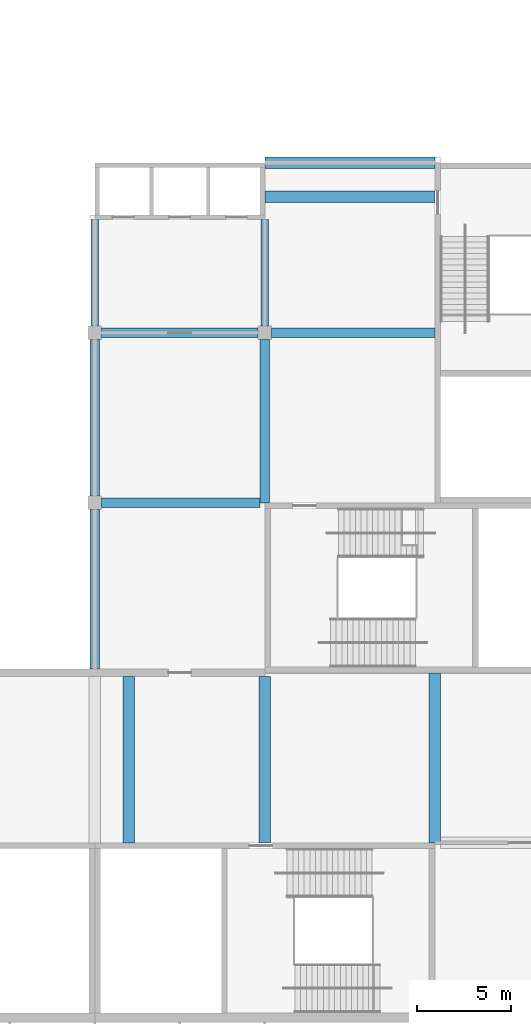
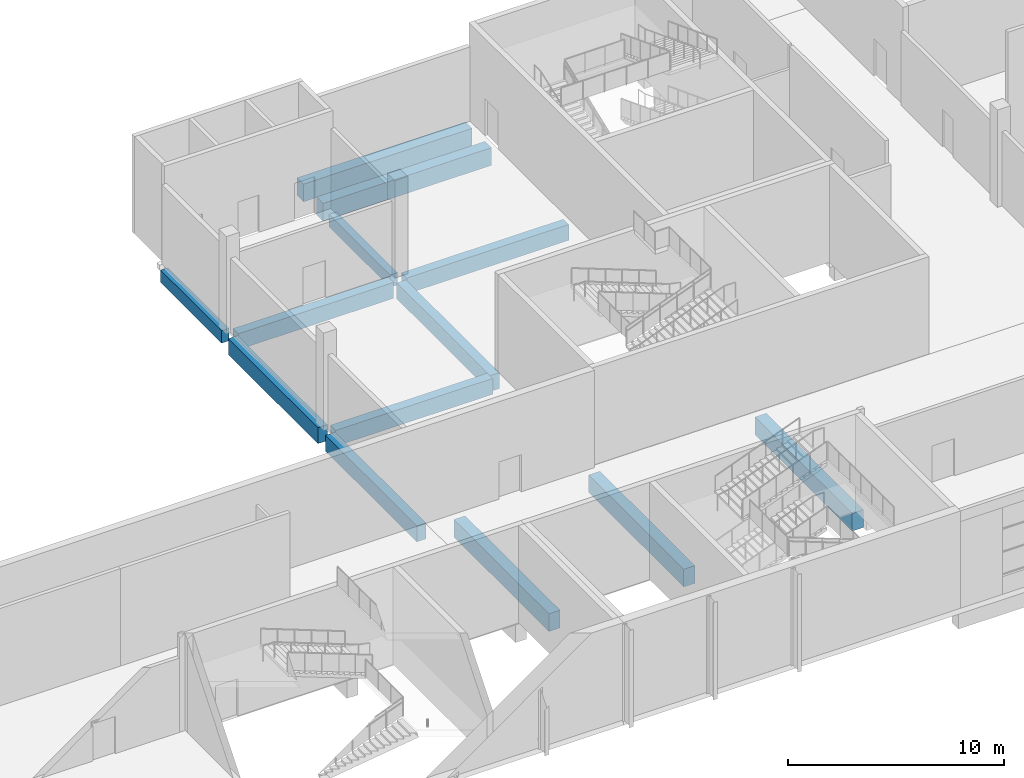
# One storey, part 10 of 84: 13 beams.
"""IFC4 building model written with IfcOpenShell, lengths in metres."""

import ifcopenshell
import ifcopenshell.guid

model = None  # the IFC model being written
_history = None  # IfcOwnerHistory: only IFC2X3 demands one
_inside = {}  # id of a spatial element -> (the spatial element, [elements in it])
_under = {}  # id of a project, library or spatial element -> (it, [spatial elements below it])
_declared = {}  # id of a project -> (the project, [libraries it declares])
_typed = {}  # id of a type object -> (the type object, [elements of that type])
_made_of = {}  # id of a material, layer set ... -> (it, [elements and type objects made of it])


def new_model(schema):
    """Start an empty IFC model of exactly this schema.

    Asked for "IFC4X3", IfcOpenShell would pick the latest addendum, in which some entities
    have other attributes; the version numbers below select the first issue.
    IFC2X3 requires an IfcOwnerHistory on every rooted entity: one is made here for all.
    """
    global model, _history
    if schema == "IFC4X3":
        model = ifcopenshell.file(schema_version=(4, 3, 0, 0))
    else:
        model = ifcopenshell.file(schema=schema)
    _inside.clear()
    _under.clear()
    _declared.clear()
    _typed.clear()
    _made_of.clear()
    _history = None
    if model.schema == "IFC2X3":
        org = make("IfcOrganization", Name="unknown")
        user = make(
            "IfcPersonAndOrganization",
            ThePerson=make("IfcPerson", FamilyName="unknown"),
            TheOrganization=org,
        )
        app = make(
            "IfcApplication",
            ApplicationDeveloper=org,
            Version="unknown",
            ApplicationFullName="unknown",
            ApplicationIdentifier="unknown",
        )
        _history = make(
            "IfcOwnerHistory",
            OwningUser=user,
            OwningApplication=app,
            ChangeAction="ADDED",
            CreationDate=0,
        )
    return model


def make(cls, **values):
    """One entity of the class cls with the attributes given. An attribute that is None is left unset."""
    return model.create_entity(
        cls, **{name: value for name, value in values.items() if value is not None}
    )


def rooted(cls, **values):
    """An entity with a GlobalId (a new one), such as an element, a storey or a relation."""
    return make(cls, GlobalId=ifcopenshell.guid.new(), OwnerHistory=_history, **values)


def si_unit(unit_type, name, prefix=None):
    """IfcSIUnit, for example si_unit("LENGTHUNIT", "METRE", prefix="MILLI")."""
    return make("IfcSIUnit", UnitType=unit_type, Prefix=prefix, Name=name)


def assignment(units):
    """IfcUnitAssignment: the units of a project."""
    return None if units is None else make("IfcUnitAssignment", Units=units)


def point(xyz):
    """IfcCartesianPoint."""
    return None if xyz is None else make("IfcCartesianPoint", Coordinates=xyz)


def direction(xyz):
    """IfcDirection."""
    return None if xyz is None else make("IfcDirection", DirectionRatios=xyz)


def frame(location, z_axis=None, x_axis=None):
    """IfcAxis2Placement3D, a coordinate frame: its origin and axes. An axis left out is left unset."""
    return make(
        "IfcAxis2Placement3D",
        Location=point(location),
        Axis=direction(z_axis),
        RefDirection=direction(x_axis),
    )


def frame_2d(location, x_axis=None):
    """IfcAxis2Placement2D, a coordinate frame in the plane: its origin and x axis."""
    return make(
        "IfcAxis2Placement2D", Location=point(location), RefDirection=direction(x_axis)
    )


def origin():
    """The frame at (0, 0, 0) with its axes left unset."""
    return frame((0.0, 0.0, 0.0))


def origin_2d():
    """The frame at (0, 0) in the plane with its x axis left unset."""
    return frame_2d((0.0, 0.0))


def place(relative_to, where):
    """IfcLocalPlacement: puts the frame where relative to a parent placement (None: the world)."""
    return make(
        "IfcLocalPlacement", PlacementRelTo=relative_to, RelativePlacement=where
    )


def context(
    kind, dimensions, precision=None, world=None, true_north=None, identifier=None
):
    """IfcGeometricRepresentationContext, for example the 3D "Model" context."""
    return make(
        "IfcGeometricRepresentationContext",
        ContextIdentifier=identifier,
        ContextType=kind,
        CoordinateSpaceDimension=dimensions,
        Precision=precision,
        WorldCoordinateSystem=world,
        TrueNorth=true_north,
    )


def subcontext(parent, identifier, kind, view, scale=None):
    """IfcGeometricRepresentationSubContext, for example "Body" below "Model"."""
    return make(
        "IfcGeometricRepresentationSubContext",
        ContextIdentifier=identifier,
        ContextType=kind,
        ParentContext=parent,
        TargetScale=scale,
        TargetView=view,
    )


def project(units=None, contexts=None):
    """IfcProject with its units and contexts."""
    return rooted(
        "IfcProject",
        Name="project",
        RepresentationContexts=contexts,
        UnitsInContext=assignment(units),
    )


def spatial(cls, under=None, at=None, **own):
    """A site, building, storey or space (cls), placed at a placement, below another one or the project."""
    s = rooted(cls, ObjectPlacement=at, **own)
    if under is not None:
        _under.setdefault(under.id(), (under, []))[1].append(s)
    return s


def profile(cls, at=None, kind="AREA", **sizes):
    """A parametric profile (cls). Its sizes go by their IFC names, for example OverallWidth=200.0."""
    return make(cls, ProfileType=kind, Position=at, **sizes)


def rectangle(**sizes):
    """IfcRectangleProfileDef."""
    return profile("IfcRectangleProfileDef", **sizes)


def extrude(swept, where, along, depth):
    """IfcExtrudedAreaSolid: the profile swept, set in the frame where, extruded along a direction by depth."""
    return make(
        "IfcExtrudedAreaSolid",
        SweptArea=swept,
        Position=where,
        ExtrudedDirection=direction(along),
        Depth=depth,
    )


def shape(context_of_items, identifier, shape_type, items):
    """IfcShapeRepresentation: the items that make up one representation, for example the "Body"."""
    return make(
        "IfcShapeRepresentation",
        ContextOfItems=context_of_items,
        RepresentationIdentifier=identifier,
        RepresentationType=shape_type,
        Items=items,
    )


def material(Name=None, Category=None):
    """IfcMaterial."""
    return make("IfcMaterial", Name=Name, Category=Category)


def material_profile(
    of_material, cross_section, Name=None, Category=None, Priority=None
):
    """IfcMaterialProfile: a cross section and its material."""
    return make(
        "IfcMaterialProfile",
        Name=Name,
        Material=of_material,
        Profile=cross_section,
        Priority=Priority,
        Category=Category,
    )


def profile_set(profiles, Name=None, composite=None):
    """IfcMaterialProfileSet."""
    return make(
        "IfcMaterialProfileSet",
        Name=Name,
        MaterialProfiles=profiles,
        CompositeProfile=composite,
    )


def made_of(thing, what):
    """Note that an element or type object is made of a material, layer set ...; save() writes the relation."""
    if what is not None:
        _made_of.setdefault(what.id(), (what, []))[1].append(thing)
    return thing


def type_object(cls, material=None, **own):
    """A type object (cls), such as IfcWallType, which elements share."""
    return made_of(rooted(cls, **own), material)


def element(
    cls,
    number,
    at=None,
    inside=None,
    cuts=None,
    type_object=None,
    material=None,
    context=None,
    identifier="Body",
    shape_type=None,
    held_by="IfcProductDefinitionShape",
    body=None,
    shapes=None,
    **own,
):
    """One element of the class cls, such as IfcWall. Its Tag is "e" and its number.

    at: its placement. inside: the storey or other place that contains it. cuts: it is an
    opening in that element (IfcRelVoidsElement). A single representation is given by context,
    identifier, shape_type and body (its items); several are given by shapes. held_by: the class
    of the entity that holds the representations. save() writes the other relations.
    """
    e = rooted(cls, Tag="e%d" % number, ObjectPlacement=at, **own)
    if body is not None:
        shapes = [shape(context, identifier, shape_type, body)]
    if shapes is not None:
        e.Representation = make(held_by, Representations=shapes)
    if inside is not None:
        _inside.setdefault(inside.id(), (inside, []))[1].append(e)
    if cuts is not None:
        rooted(
            "IfcRelVoidsElement", RelatingBuildingElement=cuts, RelatedOpeningElement=e
        )
    if type_object is not None:
        _typed.setdefault(type_object.id(), (type_object, []))[1].append(e)
    return made_of(e, material)


def aggregate(whole, parts):
    """IfcRelAggregates: a whole, such as a stair, and the parts it consists of."""
    return rooted("IfcRelAggregates", RelatingObject=whole, RelatedObjects=parts)


def save(model, path):
    """Write the relations noted so far, then the file.

    IfcRelAggregates (storeys below a building ...), IfcRelContainedInSpatialStructure (elements
    in a storey), IfcRelDefinesByType, IfcRelAssociatesMaterial and IfcRelDeclares: one each for
    every whole, place, type object, material and project.
    """
    for whole, parts in _under.values():
        aggregate(whole, parts)
    for where, things in _inside.values():
        rooted(
            "IfcRelContainedInSpatialStructure",
            RelatedElements=things,
            RelatingStructure=where,
        )
    for kind, things in _typed.values():
        rooted("IfcRelDefinesByType", RelatedObjects=things, RelatingType=kind)
    for what, things in _made_of.values():
        rooted("IfcRelAssociatesMaterial", RelatedObjects=things, RelatingMaterial=what)
    for by, libraries in _declared.values():
        rooted("IfcRelDeclares", RelatingContext=by, RelatedDefinitions=libraries)
    model.write(path)


model = new_model("IFC4")

# Units and contexts
model_context = context("Model", 3, precision=1e-05, world=origin(), true_north=direction((0.0, 1.0)))
body_context = subcontext(model_context, "Body", "Model", "MODEL_VIEW")
ifc_project = project(units=[si_unit("LENGTHUNIT", "METRE"), si_unit("AREAUNIT", "SQUARE_METRE"), si_unit("VOLUMEUNIT", "CUBIC_METRE"), si_unit("PLANEANGLEUNIT", "RADIAN"), si_unit("MASSUNIT", "GRAM", prefix="KILO")], contexts=[model_context])

# Site, building, storey
site_placement = place(None, origin())
site = spatial("IfcSite", under=ifc_project, at=site_placement, CompositionType="ELEMENT")
building_placement = place(site_placement, origin())
building = spatial("IfcBuilding", under=site, at=building_placement, Name="Silverbay Arena", CompositionType="ELEMENT")
storey_placement = place(building_placement, frame((0.0, 0.0, 28.0)))
storey = spatial("IfcBuildingStorey", under=building, at=storey_placement, Name="L04", CompositionType="ELEMENT", Elevation=28.0)

# Beams
ifc_material_1 = material(Name="Concrete Grade C45", Category="concrete")
ifc_material_profile_1 = material_profile(ifc_material_1, rectangle(XDim=0.39990234375, YDim=0.699951171875, at=origin_2d()), Name="RC 400x700")
ifc_profile_set_1 = profile_set([ifc_material_profile_1], Name="Concrete Grade C45")
beam_type_1 = type_object("IfcBeamType", Name="RC beam 400x700", PredefinedType="BEAM", material=ifc_profile_set_1)
for number, where, z_axis, x_axis, name in (
    (1, (162.0, 54.35009765625, -0.64990234375), (0.0, 1.0, 0.0), (-1.0, 0.0, 0.0), "Floor beam L04 130"),
    (2, (171.0, 54.35009765625, -0.64990234375), (0.0, 1.0, 0.0), (-1.0, 0.0, 0.0), "Floor beam L04 139"),
):
    element("IfcBeam", number, at=place(storey_placement, frame(where, z_axis=z_axis, x_axis=x_axis)), inside=storey, type_object=beam_type_1, Name=name, PredefinedType="BEAM", context=body_context, shape_type="SweptSolid", body=[
        extrude(rectangle(XDim=0.39990234375, YDim=0.699951171875, at=origin_2d()), origin(), (0.0, 0.0, 1.0), 5.64990234375),
    ])
ifc_material_2 = material(Name="Concrete Grade C45", Category="concrete")
ifc_material_profile_2 = material_profile(ifc_material_2, rectangle(XDim=0.5, YDim=0.89990234375, at=origin_2d()), Name="RC 500x900")
ifc_profile_set_2 = profile_set([ifc_material_profile_2], Name="Concrete Grade C45")
beam_type_2 = type_object("IfcBeamType", Name="RC beam 500x900", PredefinedType="BEAM", material=ifc_profile_set_2)
beam_1_placement = place(storey_placement, frame((162.35009765625, 45.0, -0.75), z_axis=(1.0, 0.0, 0.0), x_axis=(0.0, 1.0, 0.0)))
element("IfcBeam", 3, at=beam_1_placement, inside=storey, type_object=beam_type_2, Name="Floor beam L04 018", PredefinedType="BEAM", context=body_context, shape_type="SweptSolid", body=[
    extrude(rectangle(XDim=0.5, YDim=0.89990234375, at=origin_2d()), origin(), (0.0, 0.0, 1.0), 8.39990234375),
])
beam_2_placement = place(storey_placement, frame((162.35009765625, 54.0, -0.75), z_axis=(1.0, 0.0, 0.0), x_axis=(0.0, 1.0, 0.0)))
element("IfcBeam", 4, at=beam_2_placement, inside=storey, type_object=beam_type_2, Name="Floor beam L04 024", PredefinedType="BEAM", context=body_context, shape_type="SweptSolid", body=[
    extrude(rectangle(XDim=0.5, YDim=0.89990234375, at=origin_2d()), origin(), (0.0, 0.0, 1.0), 8.2998046875),
])
beam_3_placement = place(storey_placement, frame((171.35009765625, 54.0, -0.75), z_axis=(1.0, 0.0, 0.0), x_axis=(0.0, 1.0, 0.0)))
element("IfcBeam", 5, at=beam_3_placement, inside=storey, type_object=beam_type_2, Name="Floor beam L04 025", PredefinedType="BEAM", context=body_context, shape_type="SweptSolid", body=[
    extrude(rectangle(XDim=0.5, YDim=0.89990234375, at=origin_2d()), origin(), (0.0, 0.0, 1.0), 8.64990234375),
])
beam_4_placement = place(storey_placement, frame((162.0, 36.199951171875, -0.75), z_axis=(0.0, 1.0, 0.0), x_axis=(-1.0, 0.0, 0.0)))
element("IfcBeam", 6, at=beam_4_placement, inside=storey, type_object=beam_type_2, Name="Floor beam L04 128", PredefinedType="BEAM", context=body_context, shape_type="SweptSolid", body=[
    extrude(rectangle(XDim=0.5, YDim=0.89990234375, at=origin_2d()), origin(), (0.0, 0.0, 1.0), 8.449951171875),
])
beam_5_placement = place(storey_placement, frame((162.0, 45.35009765625, -0.75), z_axis=(0.0, 1.0, 0.0), x_axis=(-1.0, 0.0, 0.0)))
element("IfcBeam", 7, at=beam_5_placement, inside=storey, type_object=beam_type_2, Name="Floor beam L04 129", PredefinedType="BEAM", context=body_context, shape_type="SweptSolid", body=[
    extrude(rectangle(XDim=0.5, YDim=0.89990234375, at=origin_2d()), origin(), (0.0, 0.0, 1.0), 8.2998046875),
])
beam_6_placement = place(storey_placement, frame((171.0, 45.0, -0.75), z_axis=(0.0, 1.0, 0.0), x_axis=(-1.0, 0.0, 0.0)))
element("IfcBeam", 8, at=beam_6_placement, inside=storey, type_object=beam_type_2, Name="Floor beam L04 138", PredefinedType="BEAM", context=body_context, shape_type="SweptSolid", body=[
    extrude(rectangle(XDim=0.5, YDim=0.89990234375, at=origin_2d()), origin(), (0.0, 0.0, 1.0), 8.64990234375),
])
ifc_material_3 = material(Name="Concrete Grade C45", Category="concrete")
ifc_material_profile_3 = material_profile(ifc_material_3, rectangle(XDim=0.60009765625, YDim=1.0, at=origin_2d()), Name="RC 600x1000")
ifc_profile_set_3 = profile_set([ifc_material_profile_3], Name="Concrete Grade C45")
beam_type_3 = type_object("IfcBeamType", Name="RC beam 600x1000", PredefinedType="BEAM", material=ifc_profile_set_3)
for number, where, z_axis, x_axis, name in (
    (9, (171.0, 61.199951171875, -0.800048828125), (1.0, 0.0, 0.0), (0.0, 1.0, 0.0), "Floor beam L04 029"),
    (10, (171.0, 63.0, -0.800048828125), (1.0, 0.0, 0.0), (0.0, 1.0, 0.0), "Floor beam L04 033"),
):
    element("IfcBeam", number, at=place(storey_placement, frame(where, z_axis=z_axis, x_axis=x_axis)), inside=storey, type_object=beam_type_3, Name=name, PredefinedType="BEAM", context=body_context, shape_type="SweptSolid", body=[
        extrude(rectangle(XDim=0.60009765625, YDim=1.0, at=origin_2d()), origin(), (0.0, 0.0, 1.0), 9.0),
    ])
for number, where, z_axis, x_axis, name in (
    (11, (163.800048828125, 27.0, -0.800048828125), (0.0, 1.0, 0.0), (-1.0, 0.0, 0.0), "Floor beam L04 135"),
    (12, (171.0, 27.0, -0.800048828125), (0.0, 1.0, 0.0), (-1.0, 0.0, 0.0), "Floor beam L04 137"),
):
    element("IfcBeam", number, at=place(storey_placement, frame(where, z_axis=z_axis, x_axis=x_axis)), inside=storey, type_object=beam_type_3, Name=name, PredefinedType="BEAM", context=body_context, shape_type="SweptSolid", body=[
        extrude(rectangle(XDim=0.60009765625, YDim=1.0, at=origin_2d()), origin(), (0.0, 0.0, 1.0), 8.800048828125),
    ])
beam_7_placement = place(storey_placement, frame((180.0, 27.0, -0.800048828125), z_axis=(0.0, 1.0, 0.0), x_axis=(-1.0, 0.0, 0.0)))
element("IfcBeam", 13, at=beam_7_placement, inside=storey, type_object=beam_type_3, Name="Floor beam L04 143", PredefinedType="BEAM", context=body_context, shape_type="SweptSolid", body=[
    extrude(rectangle(XDim=0.60009765625, YDim=1.0, at=origin_2d()), origin(), (0.0, 0.0, 1.0), 9.0),
])

save(model, "model.ifc")
